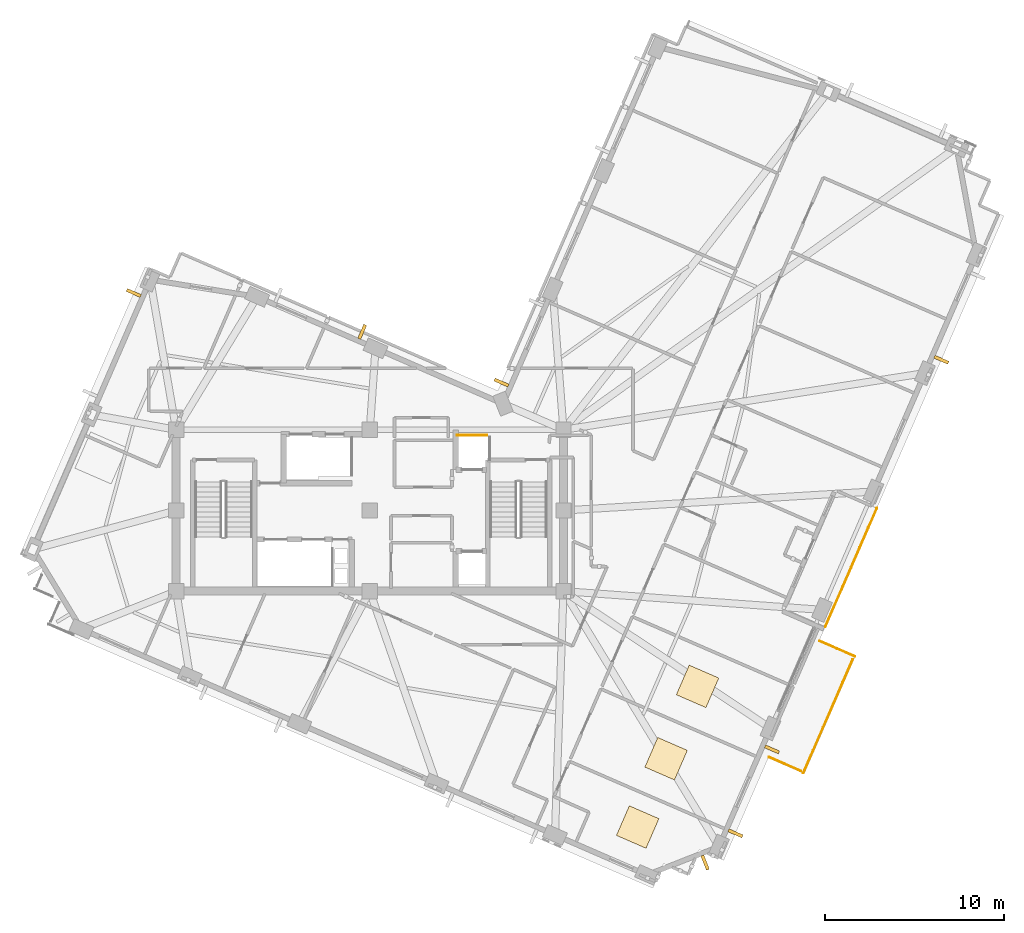
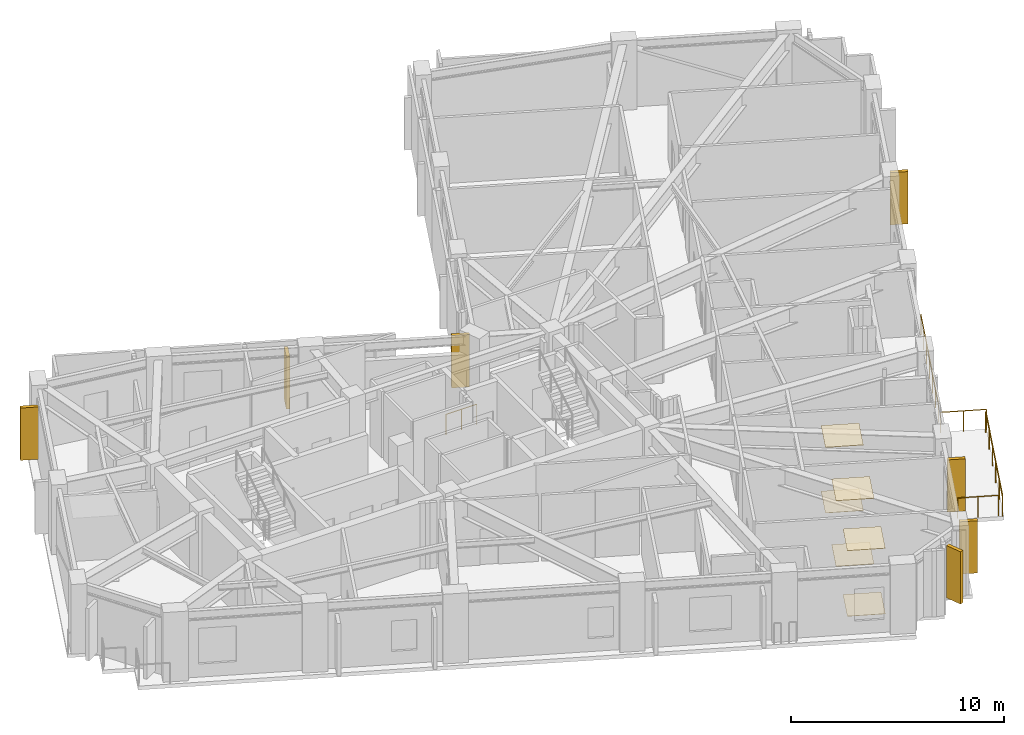
# One storey, part 11 of 12: 7 shading devices, 6 coverings, 5 railings.
"""IFC4 building model written with IfcOpenShell, lengths in metres."""

from ifc_helpers import new_model, si_unit, direction, frame, origin, origin_2d, place, context, subcontext, project, spatial, rectangle, circle, extrude, material, layer, layer_set, type_object, element, save


model = new_model("IFC4")

# Units and contexts
model_context = context("Model", 3, precision=1e-05, world=origin(), true_north=direction((0.0, 1.0)))
body_context = subcontext(model_context, "Body", "Model", "MODEL_VIEW")
ifc_project = project(units=[si_unit("LENGTHUNIT", "METRE"), si_unit("AREAUNIT", "SQUARE_METRE"), si_unit("VOLUMEUNIT", "CUBIC_METRE"), si_unit("PLANEANGLEUNIT", "RADIAN"), si_unit("MASSUNIT", "GRAM", prefix="KILO")], contexts=[model_context])

# Site, building, storey
site_placement = place(None, origin())
site = spatial("IfcSite", under=ifc_project, at=site_placement, CompositionType="ELEMENT")
building_placement = place(site_placement, origin())
building = spatial("IfcBuilding", under=site, at=building_placement, Name="Gaonmaruhae Medical Tower", CompositionType="ELEMENT")
storey_placement = place(building_placement, frame((0.0, 0.0, 320.60009765625)))
storey = spatial("IfcBuildingStorey", under=building, at=storey_placement, Name="L77", CompositionType="ELEMENT", Elevation=320.60009765625)

# Coverings
ifc_material_1 = material(Name="Acoustic mineral ceiling tile", Category="finish")
ifc_layer_1 = layer(ifc_material_1, 0.02490234375)
ifc_layer_set_1 = layer_set([ifc_layer_1], Name="Acoustic mineral ceiling tile")
covering_type_1 = type_object("IfcCoveringType", Name="CLG-01 Antimicrobial Acoustic Mineral Ceiling", PredefinedType="CEILING", material=ifc_layer_set_1)
for number, where, z_axis, x_axis, name in (
    (1, (39.740478515625, -5.355712890625, 3.7548828125), (0.0, 0.0, 1.0), (0.398749068925, 0.917060074385, 0.0), "L77 Clinical Room Acoustic Ceiling 2"),
    (2, (41.325439453125, -1.545654296875, 3.7548828125), (0.0, 0.0, 1.0), (0.398749068925, 0.917060074385, 0.0), "L77 Clinical Room Acoustic Ceiling 3"),
    (3, (43.080078125, 2.489501953125, 3.7548828125), (0.0, 0.0, 1.0), (0.398749068925, 0.917060074385, 0.0), "L77 Clinical Room Acoustic Ceiling 4"),
):
    element("IfcCovering", number, at=place(storey_placement, frame(where, z_axis=z_axis, x_axis=x_axis)), inside=storey, type_object=covering_type_1, Name=name, PredefinedType="CEILING", context=body_context, shape_type="SweptSolid", body=[
        extrude(rectangle(XDim=1.800048828125, YDim=1.800048828125, at=origin_2d()), origin(), (0.0, 0.0, 1.0), 0.02490234375),
    ])
ifc_material_2 = material(Name="Seamless clinical vinyl flooring", Category="finish")
ifc_layer_2 = layer(ifc_material_2, 0.014892578125)
ifc_layer_set_2 = layer_set([ifc_layer_2], Name="Seamless clinical vinyl flooring")
covering_type_2 = type_object("IfcCoveringType", Name="FLR-01 Seamless Clinical Antistatic Vinyl Flooring", PredefinedType="FLOORING", material=ifc_layer_set_2)
for number, where, z_axis, x_axis, name in (
    (4, (39.740478515625, -5.355712890625, 0.0), (0.0, 0.0, 1.0), (0.398749068925, 0.917060074385, 0.0), "L77 Clinical Room Vinyl Flooring 2"),
    (5, (41.325439453125, -1.545654296875, 0.0), (0.0, 0.0, 1.0), (0.398749068925, 0.917060074385, 0.0), "L77 Clinical Room Vinyl Flooring 3"),
    (6, (43.080078125, 2.489501953125, 0.0), (0.0, 0.0, 1.0), (0.398749068925, 0.917060074385, 0.0), "L77 Clinical Room Vinyl Flooring 4"),
):
    element("IfcCovering", number, at=place(storey_placement, frame(where, z_axis=z_axis, x_axis=x_axis)), inside=storey, type_object=covering_type_2, Name=name, PredefinedType="FLOORING", context=body_context, shape_type="SweptSolid", body=[
        extrude(rectangle(XDim=1.800048828125, YDim=1.800048828125, at=origin_2d()), origin(), (0.0, 0.0, 1.0), 0.014892578125),
    ])

# Railings
ifc_material_3 = material(Name="Stainless steel 316L and laminated safety glass", Category="steel")
ifc_layer_3 = layer(ifc_material_3, 0.080078125)
ifc_layer_set_3 = layer_set([ifc_layer_3], Name="Stainless steel 316L and laminated safety glass")
railing_type_1 = type_object("IfcRailingType", Name="GD-120 Outdoor Terrace Safety Glass & Steel Balustrade", PredefinedType="BALUSTRADE", material=ifc_layer_set_3)
railing_1_placement = place(storey_placement, frame((50.210205078125, 5.82177734375, 0.0)))
element("IfcRailing", 7, at=railing_1_placement, inside=storey, type_object=railing_type_1, Name="L77 Terrace Safety Guard RL-SLB-L77-TER-01", PredefinedType="BALUSTRADE", context=body_context, shape_type="SweptSolid", body=[
    extrude(circle(Radius=0.02392578125, at=origin_2d()), frame((0.0, 0.0, 1.17578125), z_axis=(0.398734790782, 0.917066282566, 0.0), x_axis=(-0.917066282566, 0.398734790782, 0.0)), (0.0, 0.0, 1.0), 7.199951171875),
    extrude(circle(Radius=0.02099609375, at=origin_2d()), origin(), (0.0, 0.0, 1.0), 1.15185546875),
    extrude(circle(Radius=0.02099609375, at=origin_2d()), frame((0.478515625, 1.1005859375, 0.0)), (0.0, 0.0, 1.0), 1.15185546875),
    extrude(circle(Radius=0.02099609375, at=origin_2d()), frame((0.95703125, 2.200927734375, 0.0)), (0.0, 0.0, 1.0), 1.15185546875),
    extrude(circle(Radius=0.02099609375, at=origin_2d()), frame((1.435546875, 3.30126953125, 0.0)), (0.0, 0.0, 1.0), 1.15185546875),
    extrude(circle(Radius=0.02099609375, at=origin_2d()), frame((1.913818359375, 4.40185546875, 0.0)), (0.0, 0.0, 1.0), 1.15185546875),
    extrude(circle(Radius=0.02099609375, at=origin_2d()), frame((2.392333984375, 5.50244140625, 0.0)), (0.0, 0.0, 1.0), 1.15185546875),
    extrude(circle(Radius=0.02099609375, at=origin_2d()), frame((2.870849609375, 6.602783203125, 0.0)), (0.0, 0.0, 1.0), 1.15185546875),
])
railing_2_placement = place(storey_placement, frame((49.881591796875, 5.015869140625, 0.0)))
element("IfcRailing", 8, at=railing_2_placement, inside=storey, type_object=railing_type_1, Name="L77 Perimeter Slab Edge Safety Balustrade 13", PredefinedType="BALUSTRADE", context=body_context, shape_type="SweptSolid", body=[
    extrude(circle(Radius=0.02392578125, at=origin_2d()), frame((0.0, 0.0, 1.17578125), z_axis=(0.917044895825, -0.398783975406, 0.0), x_axis=(0.398783975406, 0.917044895825, 0.0)), (0.0, 0.0, 1.0), 2.159912109375),
    extrude(circle(Radius=0.02099609375, at=origin_2d()), origin(), (0.0, 0.0, 1.0), 1.15185546875),
    extrude(circle(Radius=0.02099609375, at=origin_2d()), frame((0.990234375, -0.4306640625, 0.0)), (0.0, 0.0, 1.0), 1.15185546875),
    extrude(circle(Radius=0.02099609375, at=origin_2d()), frame((1.980712890625, -0.861328125, 0.0)), (0.0, 0.0, 1.0), 1.15185546875),
])
railing_3_placement = place(storey_placement, frame((51.73291015625, 3.98193359375, 0.0)))
element("IfcRailing", 9, at=railing_3_placement, inside=storey, type_object=railing_type_1, Name="L77 Perimeter Slab Edge Safety Balustrade 14", PredefinedType="BALUSTRADE", context=body_context, shape_type="SweptSolid", body=[
    extrude(circle(Radius=0.02392578125, at=origin_2d()), frame((0.0, 0.0, 1.17578125), z_axis=(-0.398764925333, -0.91705317966, 0.0), x_axis=(0.91705317966, -0.398764925333, 0.0)), (0.0, 0.0, 1.0), 6.89990234375),
    extrude(circle(Radius=0.02099609375, at=origin_2d()), origin(), (0.0, 0.0, 1.0), 1.15185546875),
    extrude(circle(Radius=0.02099609375, at=origin_2d()), frame((-0.55029296875, -1.265625, 0.0)), (0.0, 0.0, 1.0), 1.15185546875),
    extrude(circle(Radius=0.02099609375, at=origin_2d()), frame((-1.1005859375, -2.531005859375, 0.0)), (0.0, 0.0, 1.0), 1.15185546875),
    extrude(circle(Radius=0.02099609375, at=origin_2d()), frame((-1.65087890625, -3.796630859375, 0.0)), (0.0, 0.0, 1.0), 1.15185546875),
    extrude(circle(Radius=0.02099609375, at=origin_2d()), frame((-2.201171875, -5.06201171875, 0.0)), (0.0, 0.0, 1.0), 1.15185546875),
    extrude(circle(Radius=0.02099609375, at=origin_2d()), frame((-2.75146484375, -6.32763671875, 0.0)), (0.0, 0.0, 1.0), 1.15185546875),
])
railing_4_placement = place(storey_placement, frame((48.82861328125, -2.224853515625, 0.0)))
element("IfcRailing", 10, at=railing_4_placement, inside=storey, type_object=railing_type_1, Name="L77 Perimeter Slab Edge Safety Balustrade 15", PredefinedType="BALUSTRADE", context=body_context, shape_type="SweptSolid", body=[
    extrude(circle(Radius=0.02392578125, at=origin_2d()), frame((0.0, 0.0, 1.17578125), z_axis=(-0.917035715434, 0.398805086, 0.0), x_axis=(-0.398805086, -0.917035715434, 0.0)), (0.0, 0.0, 1.0), 1.921630859375),
    extrude(circle(Radius=0.02099609375, at=origin_2d()), origin(), (0.0, 0.0, 1.0), 1.15185546875),
    extrude(circle(Radius=0.02099609375, at=origin_2d()), frame((-0.881103515625, 0.38330078125, 0.0)), (0.0, 0.0, 1.0), 1.15185546875),
    extrude(circle(Radius=0.02099609375, at=origin_2d()), frame((-1.76220703125, 0.766357421875, 0.0)), (0.0, 0.0, 1.0), 1.15185546875),
])

# Shading devices
ifc_material_4 = material(Name="Pigmented coral precast concrete C45/55", Category="concrete")
shading_device_type = type_object("IfcShadingDeviceType", Name="SD-FIN1 Tower Vertical Coral Precast Shading Fin", PredefinedType="USERDEFINED", material=ifc_material_4)
for number, where, z_axis, x_axis, name in (
    (11, (47.228271484375, -1.023681640625, 0.13232421875), (0.0, 0.0, 1.0), (-0.398749068925, -0.917060074385, 0.0), "L77 Vertical Coral Precast Shading Fin S01"),
    (12, (45.192626953125, -5.705078125, 0.13232421875), (0.0, 0.0, 1.0), (-0.398749068925, -0.917060074385, 0.0), "L77 Vertical Coral Precast Shading Fin S01B"),
    (13, (56.676513671875, 20.706298828125, 0.122314453125), (0.0, 0.0, 1.0), (-0.398749068925, -0.917060074385, 0.0), "L77 Vertical Coral Precast Shading Fin S05B"),
    (14, (32.14404296875, 19.432861328125, 0.13232421875), (0.0, 0.0, 1.0), (0.398749068925, 0.917060074385, 0.0), "L77 Vertical Coral Precast Shading Fin EN02"),
    (15, (24.37548828125, 22.2626953125, 0.13232421875), (0.0, 0.0, 1.0), (0.917060074385, -0.398749068925, 0.0), "L77 Vertical Coral Precast Shading Fin NE01B"),
    (16, (11.6357421875, 24.429931640625, 0.13232421875), (0.0, 0.0, 1.0), (0.398749068925, 0.917060074385, 0.0), "L77 Vertical Coral Precast Shading Fin N01B"),
    (17, (43.500244140625, -7.33935546875, 0.13232421875), (0.0, 0.0, 1.0), (-0.930411171187, -0.366517465518, 0.0), "L77 Vertical Coral Precast Shading Fin W06"),
):
    element("IfcShadingDevice", number, at=place(storey_placement, frame(where, z_axis=z_axis, x_axis=x_axis)), inside=storey, type_object=shading_device_type, Name=name, ObjectType="FIN", PredefinedType="USERDEFINED", context=body_context, shape_type="SweptSolid", body=[
        extrude(rectangle(XDim=0.179931640625, YDim=0.85009765625, at=origin_2d()), origin(), (0.0, 0.0, 1.0), 3.0),
    ])

# Railing
ifc_material_5 = material(Name="Stainless steel 304 balustrade", Category="steel")
railing_type_2 = type_object("IfcRailingType", Name="SG-112 Stair Well & Ramp Void Safety Balustrade", PredefinedType="BALUSTRADE", material=ifc_material_5)
railing_5_placement = place(storey_placement, frame((29.6630859375, 16.4951171875, 0.0)))
element("IfcRailing", 18, at=railing_5_placement, inside=storey, type_object=railing_type_2, Name="L77 Shaft Edge Safety Guard 20", PredefinedType="BALUSTRADE", context=body_context, shape_type="SweptSolid", body=[
    extrude(circle(Radius=0.02392578125, at=origin_2d()), frame((0.0, 0.0, 1.17578125), z_axis=(1.0, 0.0, 0.0), x_axis=(0.0, 1.0, 0.0)), (0.0, 0.0, 1.0), 1.673828125),
    extrude(circle(Radius=0.02099609375, at=origin_2d()), origin(), (0.0, 0.0, 1.0), 1.15185546875),
    extrude(circle(Radius=0.02099609375, at=origin_2d()), frame((0.8369140625, 0.0, 0.0)), (0.0, 0.0, 1.0), 1.15185546875),
    extrude(circle(Radius=0.02099609375, at=origin_2d()), frame((1.673828125, 0.0, 0.0)), (0.0, 0.0, 1.0), 1.15185546875),
])

save(model, "model.ifc")
